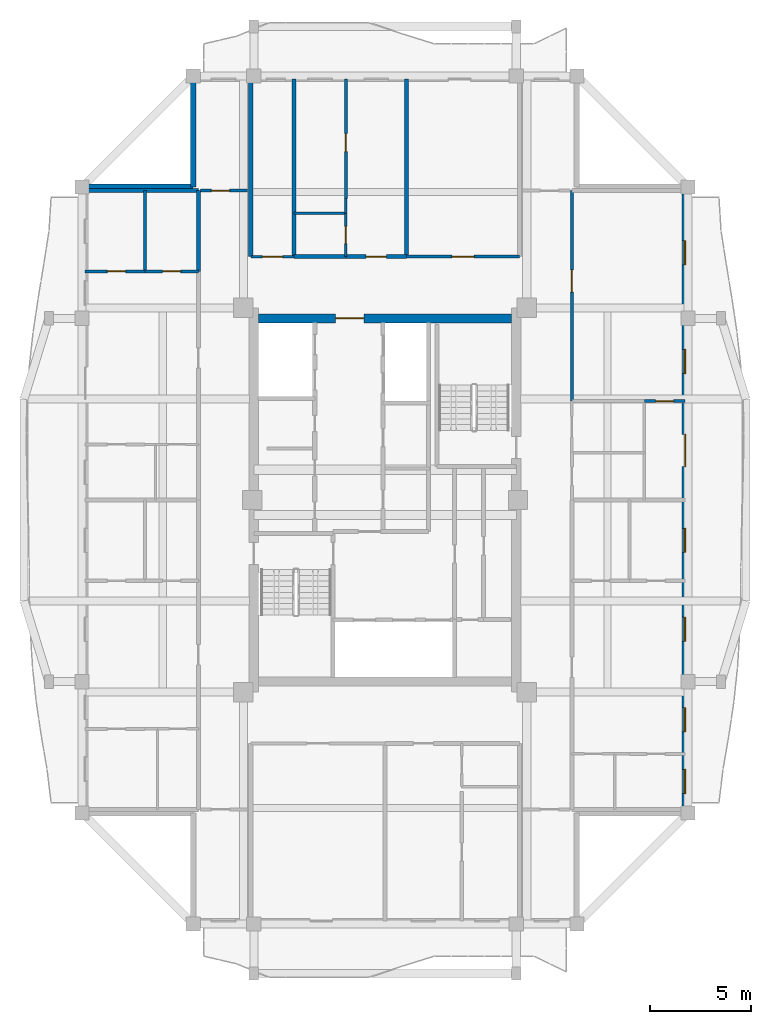
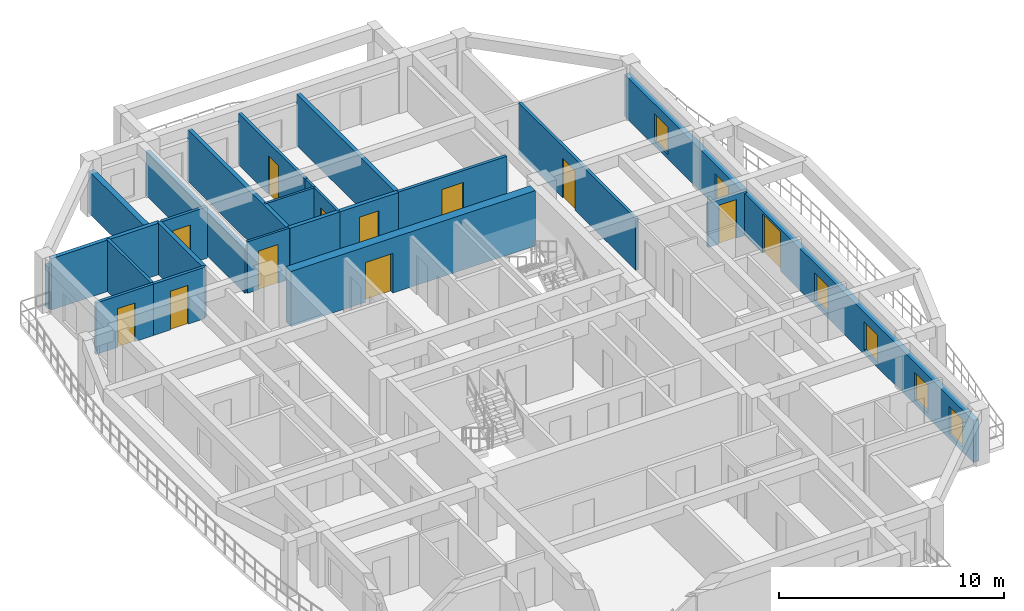
# One storey, part 5 of 12: 23 walls, 12 doors, 6 windows, 18 openings.
"""IFC4 building model written with IfcOpenShell, lengths in metres."""

from ifc_helpers import new_model, si_unit, direction, frame, frame_2d, origin, place, context, subcontext, project, spatial, rectangle, extrude, source, transform, mapped, material, layer, layer_set, type_object, element, fill, save


model = new_model("IFC4")

# Units and contexts
model_context = context("Model", 3, precision=1e-05, world=origin(), true_north=direction((0.0, 1.0)))
body_context = subcontext(model_context, "Body", "Model", "MODEL_VIEW")
ifc_project = project(units=[si_unit("LENGTHUNIT", "METRE"), si_unit("AREAUNIT", "SQUARE_METRE"), si_unit("VOLUMEUNIT", "CUBIC_METRE"), si_unit("PLANEANGLEUNIT", "RADIAN"), si_unit("MASSUNIT", "GRAM", prefix="KILO")], contexts=[model_context])

# Site, building, storey
site_placement = place(None, origin())
site = spatial("IfcSite", under=ifc_project, at=site_placement, CompositionType="ELEMENT")
building_placement = place(site_placement, origin())
building = spatial("IfcBuilding", under=site, at=building_placement, Name="Saelheon Loggia Tower", CompositionType="ELEMENT")
storey_placement = place(building_placement, frame((0.0, 0.0, 243.0)))
storey = spatial("IfcBuildingStorey", under=building, at=storey_placement, Name="L75", CompositionType="ELEMENT", Elevation=243.0)

# Wall, opening, door
ifc_material_1 = material(Name="Concrete C45/55", Category="concrete")
ifc_layer_1 = layer(ifc_material_1, 0.449951171875)
ifc_layer_set_1 = layer_set([ifc_layer_1], Name="Concrete C45/55")
wall_type_1 = type_object("IfcWallType", Name="Wall_CoreShear_450", PredefinedType="SHEAR", material=ifc_layer_set_1)
wall_1_placement = place(storey_placement, frame((31.72509765625, 36.0, 0.0), z_axis=(0.0, 0.0, 1.0), x_axis=(1.0, 0.0, 0.0)))
wall_1 = element("IfcWall", 1, at=wall_1_placement, inside=storey, type_object=wall_type_1, Name="L75 Core Shear Wall North", PredefinedType="SHEAR", context=body_context, shape_type="SweptSolid", body=[
    extrude(rectangle(XDim=12.5498046875, YDim=0.449951171875, at=frame_2d((6.27490234375, 0.0))), origin(), (0.0, 0.0, 1.0), 3.0),
])
opening_1_placement = place(wall_1_placement, frame((5.224853515625, 0.0, 0.0), z_axis=(0.0, 0.0, 1.0), x_axis=(-1.0, 0.0, 0.0)))
opening_1 = element("IfcOpeningElement", 2, at=opening_1_placement, cuts=wall_1, Name="Opening D-FD2L", PredefinedType="OPENING", context=body_context, shape_type="SweptSolid", body=[
    extrude(rectangle(XDim=1.39990234375, YDim=2.14990234375, at=frame_2d((0.699951171875, 1.074951171875))), frame((0.0, 0.237060546875, 0.0), z_axis=(0.0, -1.0, 0.0), x_axis=(1.0, 0.0, 0.0)), (0.0, 0.0, 1.0), 0.473876953125),
])
ifc_material_2 = material(Name="Galvanised Steel Glazed Lobby Fire Door", Category="steel")
door_type_1 = type_object("IfcDoorType", Name="Door_Fire_FD60_1400", OperationType="NOTDEFINED", PredefinedType="DOOR", material=ifc_material_2)
shared_shape_1 = source(origin(), body_context, "Body", "SweptSolid", [
    extrude(rectangle(XDim=1.39990234375, YDim=2.14990234375, at=frame_2d((0.699951171875, 1.074951171875))), frame((0.0, 0.02490234375, 0.0), z_axis=(0.0, -1.0, 0.0), x_axis=(1.0, 0.0, 0.0)), (0.0, 0.0, 1.0), 0.050048828125),
])
door_1_placement = place(opening_1_placement, origin())
door_1 = element("IfcDoor", 3, at=door_1_placement, inside=storey, type_object=door_type_1, Name="L75 Passenger Lift Lobby Main Door", OperationType="SINGLE_SWING_RIGHT", OverallHeight=2.14990234375, OverallWidth=1.39990234375, PredefinedType="DOOR", context=body_context, shape_type="MappedRepresentation", body=[
    mapped(shared_shape_1, transform((0.0, 0.0, 0.0), scale=1.0)),
])
fill(opening_1, door_1)

# Wall, openings, windows, door
ifc_material_3 = material(Name="Architectural Precast Concrete C40/50", Category="concrete")
ifc_layer_2 = layer(ifc_material_3, 0.280029296875)
ifc_layer_set_2 = layer_set([ifc_layer_2], Name="Architectural Precast Concrete C40/50")
wall_type_2 = type_object("IfcWallType", Name="Wall_Ext_Loggia_280", PredefinedType="SOLIDWALL", material=ifc_layer_set_2)
wall_2_placement = place(storey_placement, frame((52.860107421875, 11.5, 0.0), z_axis=(0.0, 0.0, 1.0), x_axis=(0.0, 1.0, 0.0)))
wall_2 = element("IfcWall", 4, at=wall_2_placement, inside=storey, type_object=wall_type_2, Name="L75 East Loggia Inner Wall", PredefinedType="SOLIDWALL", context=body_context, shape_type="SweptSolid", body=[
    extrude(rectangle(XDim=31.0, YDim=0.280029296875, at=frame_2d((15.5, 0.0))), origin(), (0.0, 0.0, 1.0), 2.280029296875),
])
opening_2_placement = place(wall_2_placement, frame((0.9599609375, 0.0, 0.25)))
opening_2 = element("IfcOpeningElement", 5, at=opening_2_placement, cuts=wall_2, Name="Opening WN-03", PredefinedType="OPENING", context=body_context, shape_type="SweptSolid", body=[
    extrude(rectangle(XDim=1.199951171875, YDim=1.5, at=frame_2d((0.60009765625, 0.75))), frame((0.0, 0.152099609375, 0.0), z_axis=(0.0, -1.0, 0.0), x_axis=(1.0, 0.0, 0.0)), (0.0, 0.0, 1.0), 0.303955078125),
])
opening_3_placement = place(wall_2_placement, frame((4.02001953125, 0.0, 0.25)))
opening_3 = element("IfcOpeningElement", 6, at=opening_3_placement, cuts=wall_2, Name="Opening WN-03", PredefinedType="OPENING", context=body_context, shape_type="SweptSolid", body=[
    extrude(rectangle(XDim=1.199951171875, YDim=1.5, at=frame_2d((0.60009765625, 0.75))), frame((0.0, 0.152099609375, 0.0), z_axis=(0.0, -1.0, 0.0), x_axis=(1.0, 0.0, 0.0)), (0.0, 0.0, 1.0), 0.303955078125),
])
opening_4_placement = place(wall_2_placement, frame((8.4951171875, 0.0, 0.25)))
opening_4 = element("IfcOpeningElement", 7, at=opening_4_placement, cuts=wall_2, Name="Opening WN-03", PredefinedType="OPENING", context=body_context, shape_type="SweptSolid", body=[
    extrude(rectangle(XDim=1.199951171875, YDim=1.5, at=frame_2d((0.60009765625, 0.75))), frame((0.0, 0.152099609375, 0.0), z_axis=(0.0, -1.0, 0.0), x_axis=(1.0, 0.0, 0.0)), (0.0, 0.0, 1.0), 0.303955078125),
])
opening_5_placement = place(wall_2_placement, frame((12.89990234375, 0.0, 0.25)))
opening_5 = element("IfcOpeningElement", 8, at=opening_5_placement, cuts=wall_2, Name="Opening WN-03", PredefinedType="OPENING", context=body_context, shape_type="SweptSolid", body=[
    extrude(rectangle(XDim=1.199951171875, YDim=1.5, at=frame_2d((0.60009765625, 0.75))), frame((0.0, 0.152099609375, 0.0), z_axis=(0.0, -1.0, 0.0), x_axis=(1.0, 0.0, 0.0)), (0.0, 0.0, 1.0), 0.303955078125),
])
opening_6_placement = place(wall_2_placement, frame((18.75, 0.0, 0.0), z_axis=(0.0, 0.0, 1.0), x_axis=(-1.0, 0.0, 0.0)))
opening_6 = element("IfcOpeningElement", 9, at=opening_6_placement, cuts=wall_2, Name="Opening DLG-1", PredefinedType="OPENING", context=body_context, shape_type="SweptSolid", body=[
    extrude(rectangle(XDim=1.60009765625, YDim=2.14990234375, at=frame_2d((0.800048828125, 1.074951171875))), frame((0.0, 0.152099609375, 0.0), z_axis=(0.0, -1.0, 0.0), x_axis=(1.0, 0.0, 0.0)), (0.0, 0.0, 1.0), 0.303955078125),
])
opening_7_placement = place(wall_2_placement, frame((21.7548828125, 0.0, 0.25)))
opening_7 = element("IfcOpeningElement", 10, at=opening_7_placement, cuts=wall_2, Name="Opening WN-03", PredefinedType="OPENING", context=body_context, shape_type="SweptSolid", body=[
    extrude(rectangle(XDim=1.199951171875, YDim=1.5, at=frame_2d((0.60009765625, 0.75))), frame((0.0, 0.152099609375, 0.0), z_axis=(0.0, -1.0, 0.0), x_axis=(1.0, 0.0, 0.0)), (0.0, 0.0, 1.0), 0.303955078125),
])
opening_8_placement = place(wall_2_placement, frame((27.14990234375, 0.0, 0.25)))
opening_8 = element("IfcOpeningElement", 11, at=opening_8_placement, cuts=wall_2, Name="Opening WN-03", PredefinedType="OPENING", context=body_context, shape_type="SweptSolid", body=[
    extrude(rectangle(XDim=1.199951171875, YDim=1.5, at=frame_2d((0.60009765625, 0.75))), frame((0.0, 0.152099609375, 0.0), z_axis=(0.0, -1.0, 0.0), x_axis=(1.0, 0.0, 0.0)), (0.0, 0.0, 1.0), 0.303955078125),
])
ifc_material_4 = material(Name="Thermal-Break Aluminium and Triple Low-E Glass", Category="aluminium")
window_type = type_object("IfcWindowType", Name="Win_Bedroom_1200x1500", PartitioningType="SINGLE_PANEL", PredefinedType="WINDOW", material=ifc_material_4)
shared_shape_2 = source(origin(), body_context, "Body", "SweptSolid", [
    extrude(rectangle(XDim=1.199951171875, YDim=1.5, at=frame_2d((0.60009765625, 0.75))), frame((0.0, 0.030029296875, 0.0), z_axis=(0.0, -1.0, 0.0), x_axis=(1.0, 0.0, 0.0)), (0.0, 0.0, 1.0), 0.06005859375),
])
window_1_placement = place(opening_2_placement, origin())
window_1 = element("IfcWindow", 12, at=window_1_placement, inside=storey, type_object=window_type, Name="L75 E Dwelling Window 1", OverallHeight=1.5, OverallWidth=1.199951171875, PartitioningType="SINGLE_PANEL", PredefinedType="WINDOW", context=body_context, shape_type="MappedRepresentation", body=[
    mapped(shared_shape_2, transform((0.0, 0.0, 0.0), scale=1.0)),
])
fill(opening_2, window_1)
window_2_placement = place(opening_3_placement, origin())
window_2 = element("IfcWindow", 13, at=window_2_placement, inside=storey, type_object=window_type, Name="L75 E Dwelling Window 2", OverallHeight=1.5, OverallWidth=1.199951171875, PartitioningType="SINGLE_PANEL", PredefinedType="WINDOW", context=body_context, shape_type="MappedRepresentation", body=[
    mapped(shared_shape_2, transform((0.0, 0.0, 0.0), scale=1.0)),
])
fill(opening_3, window_2)
window_3_placement = place(opening_4_placement, origin())
window_3 = element("IfcWindow", 14, at=window_3_placement, inside=storey, type_object=window_type, Name="L75 E Dwelling Window 3", OverallHeight=1.5, OverallWidth=1.199951171875, PartitioningType="SINGLE_PANEL", PredefinedType="WINDOW", context=body_context, shape_type="MappedRepresentation", body=[
    mapped(shared_shape_2, transform((0.0, 0.0, 0.0), scale=1.0)),
])
fill(opening_4, window_3)
window_4_placement = place(opening_5_placement, origin())
window_4 = element("IfcWindow", 15, at=window_4_placement, inside=storey, type_object=window_type, Name="L75 E Dwelling Window 4", OverallHeight=1.5, OverallWidth=1.199951171875, PartitioningType="SINGLE_PANEL", PredefinedType="WINDOW", context=body_context, shape_type="MappedRepresentation", body=[
    mapped(shared_shape_2, transform((0.0, 0.0, 0.0), scale=1.0)),
])
fill(opening_5, window_4)
window_5_placement = place(opening_7_placement, origin())
window_5 = element("IfcWindow", 16, at=window_5_placement, inside=storey, type_object=window_type, Name="L75 E Dwelling Window 6", OverallHeight=1.5, OverallWidth=1.199951171875, PartitioningType="SINGLE_PANEL", PredefinedType="WINDOW", context=body_context, shape_type="MappedRepresentation", body=[
    mapped(shared_shape_2, transform((0.0, 0.0, 0.0), scale=1.0)),
])
fill(opening_7, window_5)
window_6_placement = place(opening_8_placement, origin())
window_6 = element("IfcWindow", 17, at=window_6_placement, inside=storey, type_object=window_type, Name="L75 E Dwelling Window 7", OverallHeight=1.5, OverallWidth=1.199951171875, PartitioningType="SINGLE_PANEL", PredefinedType="WINDOW", context=body_context, shape_type="MappedRepresentation", body=[
    mapped(shared_shape_2, transform((0.0, 0.0, 0.0), scale=1.0)),
])
fill(opening_8, window_6)
ifc_material_5 = material(Name="Thermal-Break Aluminium Sliding Glazed Door", Category="aluminium")
door_type_2 = type_object("IfcDoorType", Name="Door_LoggiaSlide_1600", OperationType="SLIDING_TO_LEFT", PredefinedType="DOOR", material=ifc_material_5)
shared_shape_3 = source(origin(), body_context, "Body", "SweptSolid", [
    extrude(rectangle(XDim=1.60009765625, YDim=2.14990234375, at=frame_2d((0.800048828125, 1.074951171875))), frame((0.0, 0.02490234375, 0.0), z_axis=(0.0, -1.0, 0.0), x_axis=(1.0, 0.0, 0.0)), (0.0, 0.0, 1.0), 0.050048828125),
])
door_2_placement = place(opening_6_placement, origin())
door_2 = element("IfcDoor", 18, at=door_2_placement, inside=storey, type_object=door_type_2, Name="L75 E Loggia Access Door", OperationType="SLIDING_TO_LEFT", OverallHeight=2.14990234375, OverallWidth=1.60009765625, PredefinedType="DOOR", context=body_context, shape_type="MappedRepresentation", body=[
    mapped(shared_shape_3, transform((0.0, 0.0, 0.0), scale=1.0)),
])
fill(opening_6, door_2)

# Walls
for number, where, z_axis, x_axis, name in (
    (19, (28.5, 42.5, 0.0), (0.0, 0.0, 1.0), (0.0, 1.0, 0.0), "L75 Corner Notch Precast Wall NW1"),
    (20, (23.080078125, 42.5, 0.0), (0.0, 0.0, 1.0), (1.0, 0.0, 0.0), "L75 Corner Notch Precast Wall NW2"),
):
    element("IfcWall", number, at=place(storey_placement, frame(where, z_axis=z_axis, x_axis=x_axis)), inside=storey, type_object=wall_type_2, Name=name, PredefinedType="SOLIDWALL", context=body_context, shape_type="SweptSolid", body=[
        extrude(rectangle(XDim=5.419921875, YDim=0.280029296875, at=frame_2d((2.7099609375, 0.0))), origin(), (0.0, 0.0, 1.0), 2.280029296875),
    ])

# Wall, opening, door
ifc_material_6 = material(Name="Lightweight Autoclaved Aerated Concrete Block and Acoustic Gypsum", Category="concrete")
ifc_layer_3 = layer(ifc_material_6, 0.14990234375)
ifc_layer_set_3 = layer_set([ifc_layer_3], Name="Lightweight Autoclaved Aerated Concrete Block and Acoustic Gypsum")
wall_type_3 = type_object("IfcWallType", Name="Wall_Part_150", PredefinedType="PARTITIONING", material=ifc_layer_set_3)
wall_3_placement = place(storey_placement, frame((28.85009765625, 42.320068359375, 0.0), z_axis=(0.0, 0.0, 1.0), x_axis=(1.0, 0.0, 0.0)))
wall_3 = element("IfcWall", 21, at=wall_3_placement, inside=storey, type_object=wall_type_3, Name="PW-L75-CNW-H", PredefinedType="PARTITIONING", context=body_context, shape_type="SweptSolid", body=[
    extrude(rectangle(XDim=2.329833984375, YDim=0.14990234375, at=frame_2d((1.1650390625, 0.0))), origin(), (0.0, 0.0, 1.0), 2.7900390625),
])
opening_9_placement = place(wall_3_placement, frame((0.550048828125, 0.0, 0.0)))
opening_9 = element("IfcOpeningElement", 22, at=opening_9_placement, cuts=wall_3, Name="Opening D-IN2", PredefinedType="OPENING", context=body_context, shape_type="SweptSolid", body=[
    extrude(rectangle(XDim=0.89990234375, YDim=2.10009765625, at=frame_2d((0.449951171875, 1.050048828125))), frame((0.0, 0.0869140625, 0.0), z_axis=(0.0, -1.0, 0.0), x_axis=(1.0, 0.0, 0.0)), (0.0, 0.0, 1.0), 0.173828125),
])
ifc_material_7 = material(Name="Engineered Oak Flush Door", Category="timber")
door_type_3 = type_object("IfcDoorType", Name="Door_Int_900", OperationType="NOTDEFINED", PredefinedType="DOOR", material=ifc_material_7)
shared_shape_4 = source(origin(), body_context, "Body", "SweptSolid", [
    extrude(rectangle(XDim=0.89990234375, YDim=2.10009765625, at=frame_2d((0.449951171875, 1.050048828125))), frame((0.0, 0.02490234375, 0.0), z_axis=(0.0, -1.0, 0.0), x_axis=(1.0, 0.0, 0.0)), (0.0, 0.0, 1.0), 0.050048828125),
])
door_3_placement = place(opening_9_placement, origin())
door_3 = element("IfcDoor", 23, at=door_3_placement, inside=storey, type_object=door_type_3, Name="L75 Corner Home Office NW Door", OperationType="SINGLE_SWING_RIGHT", OverallHeight=2.10009765625, OverallWidth=0.89990234375, PredefinedType="DOOR", context=body_context, shape_type="MappedRepresentation", body=[
    mapped(shared_shape_4, transform((0.0, 0.0, 0.0), scale=1.0)),
])
fill(opening_9, door_3)

wall_4_placement = place(storey_placement, frame((36.064453125, 41.929931640625, 0.0), z_axis=(0.0, 0.0, 1.0), x_axis=(0.0, 1.0, 0.0)))
wall_4 = element("IfcWall", 24, at=wall_4_placement, inside=storey, type_object=wall_type_3, Name="L75 N Partition U10", PredefinedType="PARTITIONING", context=body_context, shape_type="SweptSolid", body=[
    extrude(rectangle(XDim=5.920166015625, YDim=0.14990234375, at=frame_2d((2.9599609375, 0.0))), origin(), (0.0, 0.0, 1.0), 2.7900390625),
])
opening_10_placement = place(wall_4_placement, frame((2.32080078125, 0.0, 0.0)))
opening_10 = element("IfcOpeningElement", 25, at=opening_10_placement, cuts=wall_4, Name="Opening D-IN2", PredefinedType="OPENING", context=body_context, shape_type="SweptSolid", body=[
    extrude(rectangle(XDim=0.89990234375, YDim=2.10009765625, at=frame_2d((0.449951171875, 1.050048828125))), frame((0.0, 0.0869140625, 0.0), z_axis=(0.0, -1.0, 0.0), x_axis=(1.0, 0.0, 0.0)), (0.0, 0.0, 1.0), 0.173828125),
])
door_4_placement = place(opening_10_placement, origin())
door_4 = element("IfcDoor", 26, at=door_4_placement, inside=storey, type_object=door_type_3, Name="Unit U02 Kitchen Door", OperationType="SINGLE_SWING_RIGHT", OverallHeight=2.10009765625, OverallWidth=0.89990234375, PredefinedType="DOOR", context=body_context, shape_type="MappedRepresentation", body=[
    mapped(shared_shape_4, transform((0.0, 0.0, 0.0), scale=1.0)),
])
fill(opening_10, door_4)

wall_5_placement = place(storey_placement, frame((39.074951171875, 39.050048828125, 0.0), z_axis=(0.0, 0.0, 1.0), x_axis=(1.0, 0.0, 0.0)))
wall_5 = element("IfcWall", 27, at=wall_5_placement, inside=storey, type_object=wall_type_3, Name="L75 N Partition V12", PredefinedType="PARTITIONING", context=body_context, shape_type="SweptSolid", body=[
    extrude(rectangle(XDim=5.574951171875, YDim=0.14990234375, at=frame_2d((2.78759765625, 0.0))), origin(), (0.0, 0.0, 1.0), 2.7900390625),
])
opening_11_placement = place(wall_5_placement, frame((2.237548828125, 0.0, 0.0)))
opening_11 = element("IfcOpeningElement", 28, at=opening_11_placement, cuts=wall_5, Name="Opening D-FD2", PredefinedType="OPENING", context=body_context, shape_type="SweptSolid", body=[
    extrude(rectangle(XDim=1.10009765625, YDim=2.14990234375, at=frame_2d((0.550048828125, 1.074951171875))), frame((0.0, 0.0869140625, 0.0), z_axis=(0.0, -1.0, 0.0), x_axis=(1.0, 0.0, 0.0)), (0.0, 0.0, 1.0), 0.173828125),
])
ifc_material_8 = material(Name="Galvanised Steel Fire Door", Category="steel")
door_type_4 = type_object("IfcDoorType", Name="Door_Fire_FD60_1100", OperationType="NOTDEFINED", PredefinedType="DOOR", material=ifc_material_8)
shared_shape_5 = source(origin(), body_context, "Body", "SweptSolid", [
    extrude(rectangle(XDim=1.10009765625, YDim=2.14990234375, at=frame_2d((0.550048828125, 1.074951171875))), frame((0.0, 0.02490234375, 0.0), z_axis=(0.0, -1.0, 0.0), x_axis=(1.0, 0.0, 0.0)), (0.0, 0.0, 1.0), 0.050048828125),
])
door_5_placement = place(opening_11_placement, origin())
door_5 = element("IfcDoor", 29, at=door_5_placement, inside=storey, type_object=door_type_4, Name="L75 Resident Seminar and Study Hall Door A", OperationType="SINGLE_SWING_LEFT", OverallHeight=2.14990234375, OverallWidth=1.10009765625, PredefinedType="DOOR", context=body_context, shape_type="MappedRepresentation", body=[
    mapped(shared_shape_5, transform((0.0, 0.0, 0.0), scale=1.0)),
])
fill(opening_11, door_5)

# Wall
wall_6_placement = place(storey_placement, frame((26.110107421875, 38.320068359375, 0.0), z_axis=(0.0, 0.0, 1.0), x_axis=(0.0, 1.0, 0.0)))
element("IfcWall", 30, at=wall_6_placement, inside=storey, type_object=wall_type_3, Name="L75 W Partition V18", PredefinedType="PARTITIONING", context=body_context, shape_type="SweptSolid", body=[
    extrude(rectangle(XDim=4.0, YDim=0.14990234375, at=frame_2d((2.0, 0.0))), origin(), (0.0, 0.0, 1.0), 2.7900390625),
])

# Wall, opening, door
wall_7_placement = place(storey_placement, frame((28.75, 38.320068359375, 0.0), z_axis=(0.0, 0.0, 1.0), x_axis=(-1.0, 0.0, 0.0)))
wall_7 = element("IfcWall", 31, at=wall_7_placement, inside=storey, type_object=wall_type_3, Name="L75 W Partition U22", PredefinedType="PARTITIONING", context=body_context, shape_type="SweptSolid", body=[
    extrude(rectangle(XDim=2.639892578125, YDim=0.14990234375, at=frame_2d((1.31982421875, 0.0))), origin(), (0.0, 0.0, 1.0), 2.7900390625),
])
opening_12_placement = place(wall_7_placement, frame((0.8701171875, 0.0, 0.0)))
opening_12 = element("IfcOpeningElement", 32, at=opening_12_placement, cuts=wall_7, Name="Opening D-IN2", PredefinedType="OPENING", context=body_context, shape_type="SweptSolid", body=[
    extrude(rectangle(XDim=0.89990234375, YDim=2.10009765625, at=frame_2d((0.449951171875, 1.050048828125))), frame((0.0, 0.0869140625, 0.0), z_axis=(0.0, -1.0, 0.0), x_axis=(1.0, 0.0, 0.0)), (0.0, 0.0, 1.0), 0.173828125),
])
door_6_placement = place(opening_12_placement, origin())
door_6 = element("IfcDoor", 33, at=door_6_placement, inside=storey, type_object=door_type_3, Name="Unit U04 Dressing Closet Door", OperationType="SINGLE_SWING_RIGHT", OverallHeight=2.10009765625, OverallWidth=0.89990234375, PredefinedType="DOOR", context=body_context, shape_type="MappedRepresentation", body=[
    mapped(shared_shape_4, transform((0.0, 0.0, 0.0), scale=1.0)),
])
fill(opening_12, door_6)

wall_8_placement = place(storey_placement, frame((26.110107421875, 38.320068359375, 0.0), z_axis=(0.0, 0.0, 1.0), x_axis=(-1.0, 0.0, 0.0)))
wall_8 = element("IfcWall", 34, at=wall_8_placement, inside=storey, type_object=wall_type_3, Name="L75 W Partition U23", PredefinedType="PARTITIONING", context=body_context, shape_type="SweptSolid", body=[
    extrude(rectangle(XDim=2.960205078125, YDim=0.14990234375, at=frame_2d((1.47998046875, 0.0))), origin(), (0.0, 0.0, 1.0), 2.7900390625),
])
opening_13_placement = place(wall_8_placement, frame((0.964111328125, 0.0, 0.0)))
opening_13 = element("IfcOpeningElement", 35, at=opening_13_placement, cuts=wall_8, Name="Opening D-IN2", PredefinedType="OPENING", context=body_context, shape_type="SweptSolid", body=[
    extrude(rectangle(XDim=0.89990234375, YDim=2.10009765625, at=frame_2d((0.449951171875, 1.050048828125))), frame((0.0, 0.0869140625, 0.0), z_axis=(0.0, -1.0, 0.0), x_axis=(1.0, 0.0, 0.0)), (0.0, 0.0, 1.0), 0.173828125),
])
door_7_placement = place(opening_13_placement, origin())
door_7 = element("IfcDoor", 36, at=door_7_placement, inside=storey, type_object=door_type_3, Name="Unit U04 Bedroom 1 Door", OperationType="SINGLE_SWING_LEFT", OverallHeight=2.10009765625, OverallWidth=0.89990234375, PredefinedType="DOOR", context=body_context, shape_type="MappedRepresentation", body=[
    mapped(shared_shape_4, transform((0.0, 0.0, 0.0), scale=1.0)),
])
fill(opening_13, door_7)

wall_9_placement = place(storey_placement, frame((50.85009765625, 31.89990234375, 0.0), z_axis=(0.0, 0.0, 1.0), x_axis=(1.0, 0.0, 0.0)))
wall_9 = element("IfcWall", 37, at=wall_9_placement, inside=storey, type_object=wall_type_3, Name="L75 E Partition U16", PredefinedType="PARTITIONING", context=body_context, shape_type="SweptSolid", body=[
    extrude(rectangle(XDim=2.0, YDim=0.14990234375, at=frame_2d((1.0, 0.0))), origin(), (0.0, 0.0, 1.0), 2.389892578125),
])
opening_14_placement = place(wall_9_placement, frame((0.550048828125, 0.0, 0.0)))
opening_14 = element("IfcOpeningElement", 38, at=opening_14_placement, cuts=wall_9, Name="Opening D-IN2", PredefinedType="OPENING", context=body_context, shape_type="SweptSolid", body=[
    extrude(rectangle(XDim=0.89990234375, YDim=2.10009765625, at=frame_2d((0.449951171875, 1.050048828125))), frame((0.0, 0.0869140625, 0.0), z_axis=(0.0, -1.0, 0.0), x_axis=(1.0, 0.0, 0.0)), (0.0, 0.0, 1.0), 0.173828125),
])
door_8_placement = place(opening_14_placement, origin())
door_8 = element("IfcDoor", 39, at=door_8_placement, inside=storey, type_object=door_type_3, Name="L75 Reading Alcove Door", OperationType="SINGLE_SWING_LEFT", OverallHeight=2.10009765625, OverallWidth=0.89990234375, PredefinedType="DOOR", context=body_context, shape_type="MappedRepresentation", body=[
    mapped(shared_shape_4, transform((0.0, 0.0, 0.0), scale=1.0)),
])
fill(opening_14, door_8)

wall_10_placement = place(storey_placement, frame((47.25, 31.89990234375, 0.0), z_axis=(0.0, 0.0, 1.0), x_axis=(0.0, 1.0, 0.0)))
wall_10 = element("IfcWall", 40, at=wall_10_placement, inside=storey, type_object=wall_type_3, Name="L75 E Partition V20", PredefinedType="PARTITIONING", context=body_context, shape_type="SweptSolid", body=[
    extrude(rectangle(XDim=10.420166015625, YDim=0.14990234375, at=frame_2d((5.2099609375, 0.0))), origin(), (0.0, 0.0, 1.0), 2.7900390625),
])
opening_15_placement = place(wall_10_placement, frame((5.393310546875, 0.0, 0.0)))
opening_15 = element("IfcOpeningElement", 41, at=opening_15_placement, cuts=wall_10, Name="Opening D-FD2", PredefinedType="OPENING", context=body_context, shape_type="SweptSolid", body=[
    extrude(rectangle(XDim=1.10009765625, YDim=2.14990234375, at=frame_2d((0.550048828125, 1.074951171875))), frame((0.0, 0.0869140625, 0.0), z_axis=(0.0, -1.0, 0.0), x_axis=(1.0, 0.0, 0.0)), (0.0, 0.0, 1.0), 0.173828125),
])
door_9_placement = place(opening_15_placement, origin())
door_9 = element("IfcDoor", 42, at=door_9_placement, inside=storey, type_object=door_type_4, Name="L75 Community Wellness Activity Hall Door A", OperationType="SINGLE_SWING_RIGHT", OverallHeight=2.14990234375, OverallWidth=1.10009765625, PredefinedType="DOOR", context=body_context, shape_type="MappedRepresentation", body=[
    mapped(shared_shape_5, transform((0.0, 0.0, 0.0), scale=1.0)),
])
fill(opening_15, door_9)

# Walls
ifc_material_9 = material(Name="Double Acoustic Stud and Fireboard Partition", Category="gypsum")
ifc_layer_4 = layer(ifc_material_9, 0.199951171875)
ifc_layer_set_4 = layer_set([ifc_layer_4], Name="Double Acoustic Stud and Fireboard Partition")
wall_type_4 = type_object("IfcWallType", Name="Wall_Party_200", PredefinedType="PARTITIONING", material=ifc_layer_set_4)
wall_11_placement = place(storey_placement, frame((31.35009765625, 39.050048828125, 0.0), z_axis=(0.0, 0.0, 1.0), x_axis=(0.0, 1.0, 0.0)))
element("IfcWall", 43, at=wall_11_placement, inside=storey, type_object=wall_type_4, Name="L75 N Partition U01", PredefinedType="PARTITIONING", context=body_context, shape_type="SweptSolid", body=[
    extrude(rectangle(XDim=8.800048828125, YDim=0.199951171875, at=frame_2d((4.39990234375, 0.0))), origin(), (0.0, 0.0, 1.0), 2.389892578125),
])
wall_12_placement = place(storey_placement, frame((33.5, 39.050048828125, 0.0), z_axis=(0.0, 0.0, 1.0), x_axis=(0.0, 1.0, 0.0)))
element("IfcWall", 44, at=wall_12_placement, inside=storey, type_object=wall_type_4, Name="L75 N Partition U03", PredefinedType="PARTITIONING", context=body_context, shape_type="SweptSolid", body=[
    extrude(rectangle(XDim=8.800048828125, YDim=0.199951171875, at=frame_2d((4.39990234375, 0.0))), origin(), (0.0, 0.0, 1.0), 2.7900390625),
])
wall_13_placement = place(storey_placement, frame((33.5, 39.050048828125, 0.0), z_axis=(0.0, 0.0, 1.0), x_axis=(1.0, 0.0, 0.0)))
element("IfcWall", 45, at=wall_13_placement, inside=storey, type_object=wall_type_4, Name="L75 N Partition V05", PredefinedType="PARTITIONING", context=body_context, shape_type="SweptSolid", body=[
    extrude(rectangle(XDim=2.564453125, YDim=0.199951171875, at=frame_2d((1.2822265625, 0.0))), origin(), (0.0, 0.0, 1.0), 2.7900390625),
])

# Wall, opening, door
wall_14_placement = place(storey_placement, frame((36.064453125, 39.050048828125, 0.0), z_axis=(0.0, 0.0, 1.0), x_axis=(1.0, 0.0, 0.0)))
wall_14 = element("IfcWall", 46, at=wall_14_placement, inside=storey, type_object=wall_type_4, Name="L75 N Partition V06", PredefinedType="PARTITIONING", context=body_context, shape_type="SweptSolid", body=[
    extrude(rectangle(XDim=3.010498046875, YDim=0.199951171875, at=frame_2d((1.50537109375, 0.0))), origin(), (0.0, 0.0, 1.0), 2.7900390625),
])
opening_16_placement = place(wall_14_placement, frame((1.00537109375, 0.0, 0.0)))
opening_16 = element("IfcOpeningElement", 47, at=opening_16_placement, cuts=wall_14, Name="Opening D-FD1", PredefinedType="OPENING", context=body_context, shape_type="SweptSolid", body=[
    extrude(rectangle(XDim=1.0, YDim=2.14990234375, at=frame_2d((0.5, 1.074951171875))), frame((0.0, 0.112060546875, 0.0), z_axis=(0.0, -1.0, 0.0), x_axis=(1.0, 0.0, 0.0)), (0.0, 0.0, 1.0), 0.223876953125),
])
ifc_material_10 = material(Name="Fire-Rated Engineered Timber Entrance Door", Category="wood")
door_type_5 = type_object("IfcDoorType", Name="Door_Flat_FD30S", OperationType="NOTDEFINED", PredefinedType="DOOR", material=ifc_material_10)
shared_shape_6 = source(origin(), body_context, "Body", "SweptSolid", [
    extrude(rectangle(XDim=1.0, YDim=2.14990234375, at=frame_2d((0.5, 1.074951171875))), frame((0.0, 0.02490234375, 0.0), z_axis=(0.0, -1.0, 0.0), x_axis=(1.0, 0.0, 0.0)), (0.0, 0.0, 1.0), 0.050048828125),
])
door_10_placement = place(opening_16_placement, origin())
door_10 = element("IfcDoor", 48, at=door_10_placement, inside=storey, type_object=door_type_5, Name="Unit U02 Entrance Door", OperationType="SINGLE_SWING_RIGHT", OverallHeight=2.14990234375, OverallWidth=1.0, PredefinedType="DOOR", context=body_context, shape_type="MappedRepresentation", body=[
    mapped(shared_shape_6, transform((0.0, 0.0, 0.0), scale=1.0)),
])
fill(opening_16, door_10)

# Walls
wall_15_placement = place(storey_placement, frame((39.074951171875, 39.050048828125, 0.0), z_axis=(0.0, 0.0, 1.0), x_axis=(0.0, 1.0, 0.0)))
element("IfcWall", 49, at=wall_15_placement, inside=storey, type_object=wall_type_4, Name="L75 N Partition U11", PredefinedType="PARTITIONING", context=body_context, shape_type="SweptSolid", body=[
    extrude(rectangle(XDim=8.800048828125, YDim=0.199951171875, at=frame_2d((4.39990234375, 0.0))), origin(), (0.0, 0.0, 1.0), 2.7900390625),
])
wall_16_placement = place(storey_placement, frame((28.75, 42.320068359375, 0.0), z_axis=(0.0, 0.0, 1.0), x_axis=(-1.0, 0.0, 0.0)))
element("IfcWall", 50, at=wall_16_placement, inside=storey, type_object=wall_type_4, Name="L75 W Partition U02", PredefinedType="PARTITIONING", context=body_context, shape_type="SweptSolid", body=[
    extrude(rectangle(XDim=5.60009765625, YDim=0.199951171875, at=frame_2d((2.800048828125, 0.0))), origin(), (0.0, 0.0, 1.0), 2.7900390625),
])
wall_17_placement = place(storey_placement, frame((28.75, 38.320068359375, 0.0), z_axis=(0.0, 0.0, 1.0), x_axis=(0.0, 1.0, 0.0)))
element("IfcWall", 51, at=wall_17_placement, inside=storey, type_object=wall_type_4, Name="L75 W Partition V16", PredefinedType="PARTITIONING", context=body_context, shape_type="SweptSolid", body=[
    extrude(rectangle(XDim=4.0, YDim=0.199951171875, at=frame_2d((2.0, 0.0))), origin(), (0.0, 0.0, 1.0), 2.7900390625),
])

# Wall, opening, door
ifc_material_11 = material(Name="Moisture-Resistant Cement Board Partition", Category="gypsum")
ifc_layer_5 = layer(ifc_material_11, 0.1201171875)
ifc_layer_set_5 = layer_set([ifc_layer_5], Name="Moisture-Resistant Cement Board Partition")
wall_type_5 = type_object("IfcWallType", Name="Wall_WetPart_120", PredefinedType="PARTITIONING", material=ifc_layer_set_5)
wall_18_placement = place(storey_placement, frame((31.35009765625, 39.050048828125, 0.0), z_axis=(0.0, 0.0, 1.0), x_axis=(1.0, 0.0, 0.0)))
wall_18 = element("IfcWall", 52, at=wall_18_placement, inside=storey, type_object=wall_type_5, Name="L75 N Partition V04", PredefinedType="PARTITIONING", context=body_context, shape_type="SweptSolid", body=[
    extrude(rectangle(XDim=2.14990234375, YDim=0.1201171875, at=frame_2d((1.074951171875, 0.0))), origin(), (0.0, 0.0, 1.0), 2.7900390625),
])
opening_17_placement = place(wall_18_placement, frame((0.574951171875, 0.0, 0.0)))
opening_17 = element("IfcOpeningElement", 53, at=opening_17_placement, cuts=wall_18, Name="Opening D-AC1", PredefinedType="OPENING", context=body_context, shape_type="SweptSolid", body=[
    extrude(rectangle(XDim=1.0, YDim=2.10009765625, at=frame_2d((0.5, 1.050048828125))), frame((0.0, 0.072021484375, 0.0), z_axis=(0.0, -1.0, 0.0), x_axis=(1.0, 0.0, 0.0)), (0.0, 0.0, 1.0), 0.14404296875),
])
ifc_material_12 = material(Name="Accessible Laminate Flush Door", Category="timber")
door_type_6 = type_object("IfcDoorType", Name="Door_Acc_1000", OperationType="NOTDEFINED", PredefinedType="DOOR", material=ifc_material_12)
shared_shape_7 = source(origin(), body_context, "Body", "SweptSolid", [
    extrude(rectangle(XDim=1.0, YDim=2.10009765625, at=frame_2d((0.5, 1.050048828125))), frame((0.0, 0.02490234375, 0.0), z_axis=(0.0, -1.0, 0.0), x_axis=(1.0, 0.0, 0.0)), (0.0, 0.0, 1.0), 0.050048828125),
])
door_11_placement = place(opening_17_placement, origin())
door_11 = element("IfcDoor", 54, at=door_11_placement, inside=storey, type_object=door_type_6, Name="L75 Floor Accessible WC Door", OperationType="SINGLE_SWING_LEFT", OverallHeight=2.10009765625, OverallWidth=1.0, PredefinedType="DOOR", context=body_context, shape_type="MappedRepresentation", body=[
    mapped(shared_shape_7, transform((0.0, 0.0, 0.0), scale=1.0)),
])
fill(opening_17, door_11)

wall_19_placement = place(storey_placement, frame((36.064453125, 39.050048828125, 0.0), z_axis=(0.0, 0.0, 1.0), x_axis=(0.0, 1.0, 0.0)))
wall_19 = element("IfcWall", 55, at=wall_19_placement, inside=storey, type_object=wall_type_5, Name="L75 N Partition U07", PredefinedType="PARTITIONING", context=body_context, shape_type="SweptSolid", body=[
    extrude(rectangle(XDim=2.14990234375, YDim=0.1201171875, at=frame_2d((1.074951171875, 0.0))), origin(), (0.0, 0.0, 1.0), 2.7900390625),
])
opening_18_placement = place(wall_19_placement, frame((0.64990234375, 0.0, 0.0)))
opening_18 = element("IfcOpeningElement", 56, at=opening_18_placement, cuts=wall_19, Name="Opening D-BT1", PredefinedType="OPENING", context=body_context, shape_type="SweptSolid", body=[
    extrude(rectangle(XDim=0.85009765625, YDim=2.050048828125, at=frame_2d((0.425048828125, 1.02490234375))), frame((0.0, 0.072021484375, 0.0), z_axis=(0.0, -1.0, 0.0), x_axis=(1.0, 0.0, 0.0)), (0.0, 0.0, 1.0), 0.14404296875),
])
ifc_material_13 = material(Name="Moisture-Resistant Laminate Timber Door", Category="wood")
door_type_7 = type_object("IfcDoorType", Name="Door_Bath_850", OperationType="NOTDEFINED", PredefinedType="DOOR", material=ifc_material_13)
shared_shape_8 = source(origin(), body_context, "Body", "SweptSolid", [
    extrude(rectangle(XDim=0.85009765625, YDim=2.050048828125, at=frame_2d((0.425048828125, 1.02490234375))), frame((0.0, 0.02490234375, 0.0), z_axis=(0.0, -1.0, 0.0), x_axis=(1.0, 0.0, 0.0)), (0.0, 0.0, 1.0), 0.050048828125),
])
door_12_placement = place(opening_18_placement, origin())
door_12 = element("IfcDoor", 57, at=door_12_placement, inside=storey, type_object=door_type_7, Name="Unit U02 Bathroom Door", OperationType="SINGLE_SWING_LEFT", OverallHeight=2.050048828125, OverallWidth=0.85009765625, PredefinedType="DOOR", context=body_context, shape_type="MappedRepresentation", body=[
    mapped(shared_shape_8, transform((0.0, 0.0, 0.0), scale=1.0)),
])
fill(opening_18, door_12)

# Walls
wall_20_placement = place(storey_placement, frame((36.064453125, 41.199951171875, 0.0), z_axis=(0.0, 0.0, 1.0), x_axis=(0.0, 1.0, 0.0)))
element("IfcWall", 58, at=wall_20_placement, inside=storey, type_object=wall_type_5, Name="L75 N Partition U08", PredefinedType="PARTITIONING", context=body_context, shape_type="SweptSolid", body=[
    extrude(rectangle(XDim=0.72998046875, YDim=0.1201171875, at=frame_2d((0.364990234375, 0.0))), origin(), (0.0, 0.0, 1.0), 2.7900390625),
])
wall_21_placement = place(storey_placement, frame((33.5, 41.199951171875, 0.0), z_axis=(0.0, 0.0, 1.0), x_axis=(1.0, 0.0, 0.0)))
element("IfcWall", 59, at=wall_21_placement, inside=storey, type_object=wall_type_5, Name="L75 N Partition V09", PredefinedType="PARTITIONING", context=body_context, shape_type="SweptSolid", body=[
    extrude(rectangle(XDim=2.564453125, YDim=0.1201171875, at=frame_2d((1.2822265625, 0.0))), origin(), (0.0, 0.0, 1.0), 2.7900390625),
])

save(model, "model.ifc")
